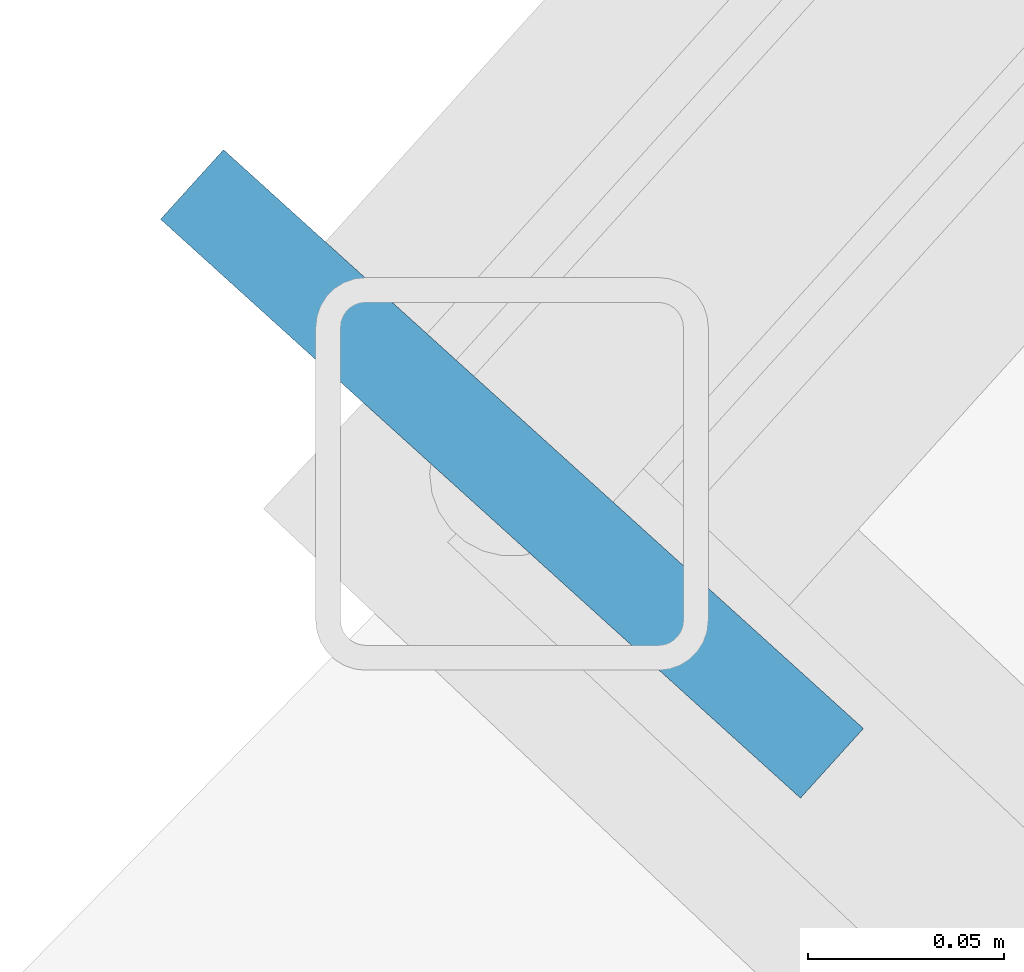
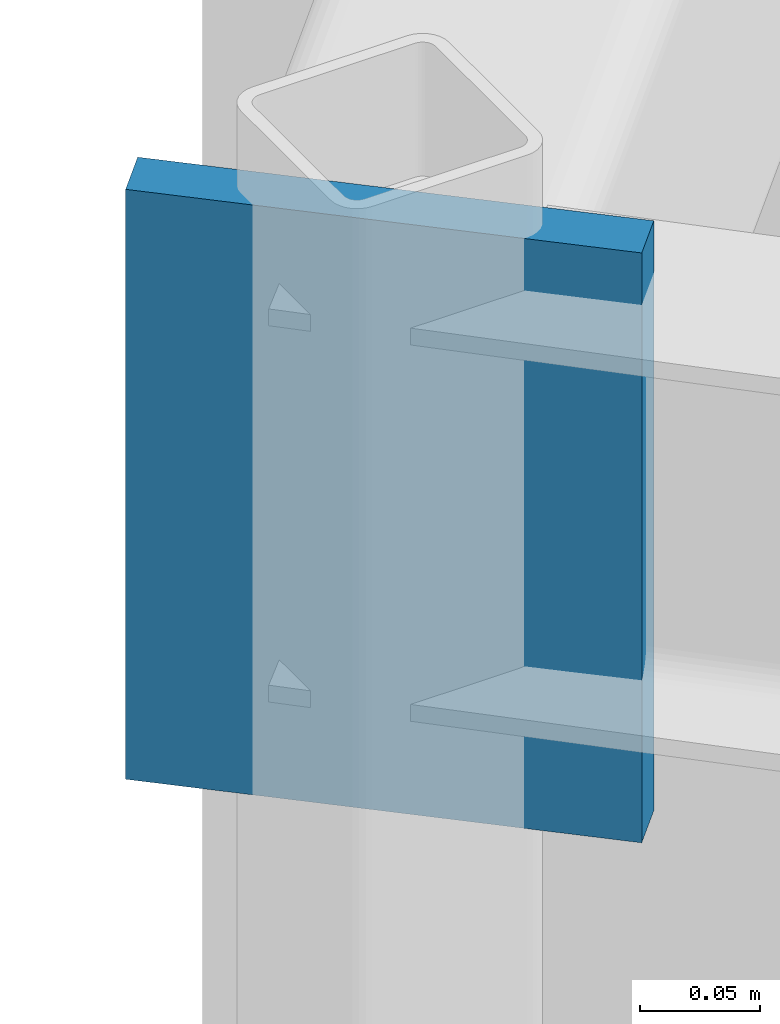
# One storey, part 52 of 100: 1 plate.
"""IFC4 building model written with IfcOpenShell, lengths in metres."""

from ifc_helpers import new_model, si_unit, direction, frame, origin, origin_2d, place, context, subcontext, project, spatial, rectangle, extrude, material, layer, layer_set, type_object, element, save


model = new_model("IFC4")

# Units and contexts
model_context = context("Model", 3, precision=1e-05, world=origin(), true_north=direction((0.0, 1.0)))
body_context = subcontext(model_context, "Body", "Model", "MODEL_VIEW")
ifc_project = project(units=[si_unit("LENGTHUNIT", "METRE"), si_unit("AREAUNIT", "SQUARE_METRE"), si_unit("VOLUMEUNIT", "CUBIC_METRE"), si_unit("PLANEANGLEUNIT", "RADIAN"), si_unit("MASSUNIT", "GRAM", prefix="KILO"), si_unit("POWERUNIT", "WATT"), si_unit("THERMODYNAMICTEMPERATUREUNIT", "KELVIN")], contexts=[model_context])

# Site, building, storey
site_placement = place(None, origin())
site = spatial("IfcSite", under=ifc_project, at=site_placement, CompositionType="ELEMENT")
building_placement = place(site_placement, origin())
building = spatial("IfcBuilding", under=site, at=building_placement, Name="Ruvembo Vaulted Housing Court", CompositionType="ELEMENT")
storey_placement = place(building_placement, frame((0.0, 0.0, 14.10009765625)))
storey = spatial("IfcBuildingStorey", under=building, at=storey_placement, Name="L04", CompositionType="ELEMENT", Elevation=14.10009765625)

# Plate
ifc_material = material(Name="Steel S355J2", Category="steel")
ifc_layer = layer(ifc_material, 0.01611328125, Name="Steel S355J2")
ifc_layer_set = layer_set([ifc_layer], Name="Steel S355J2")
plate_type = type_object("IfcPlateType", Name="PL-NODE-GUSSET-16", PredefinedType="USERDEFINED", material=ifc_layer_set)
plate_placement = place(storey_placement, frame((35.32958984375, 42.5869140625, 2.6650390625), z_axis=(0.0, 0.0, 1.0), x_axis=(0.670840911859, 0.741601288413, 0.0)))
element("IfcPlate", 1, at=plate_placement, inside=storey, type_object=plate_type, Name="Scoop SC1 L04 Hollow Spandrel End Cap Plate 0", ObjectType="GUSSET_PLATE", PredefinedType="USERDEFINED", context=body_context, shape_type="SweptSolid", body=[
    extrude(rectangle(XDim=0.02392578125, YDim=0.219970703125, at=origin_2d()), origin(), (0.0, 0.0, 1.0), 0.300048828125),
])

save(model, "model.ifc")
